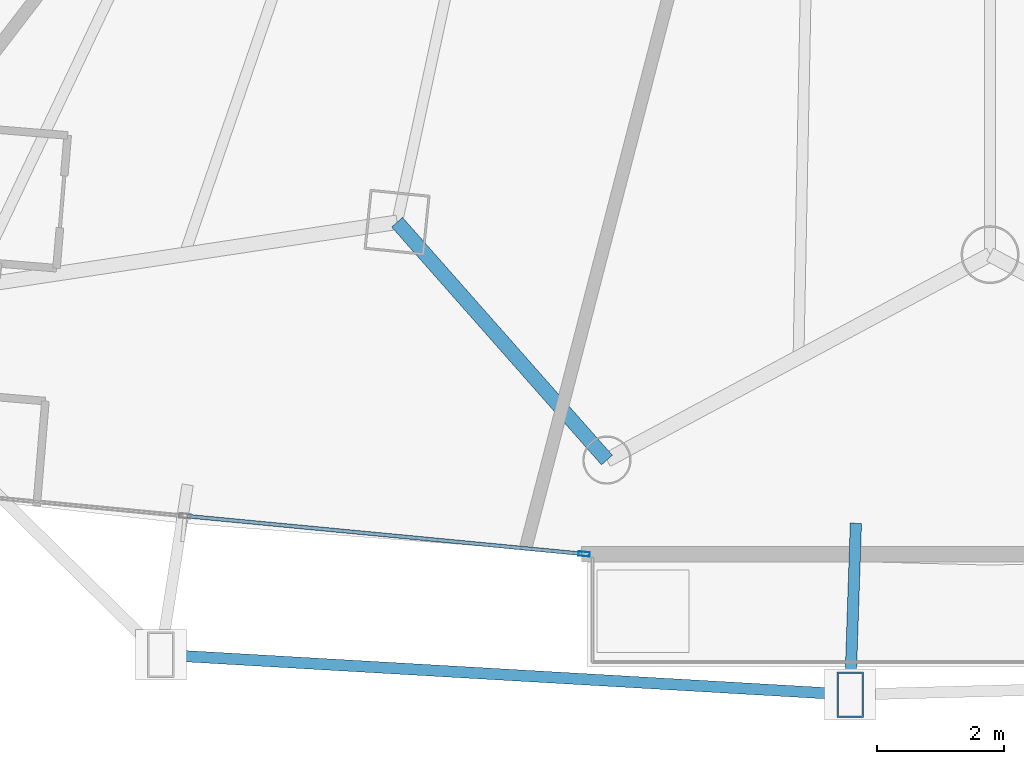
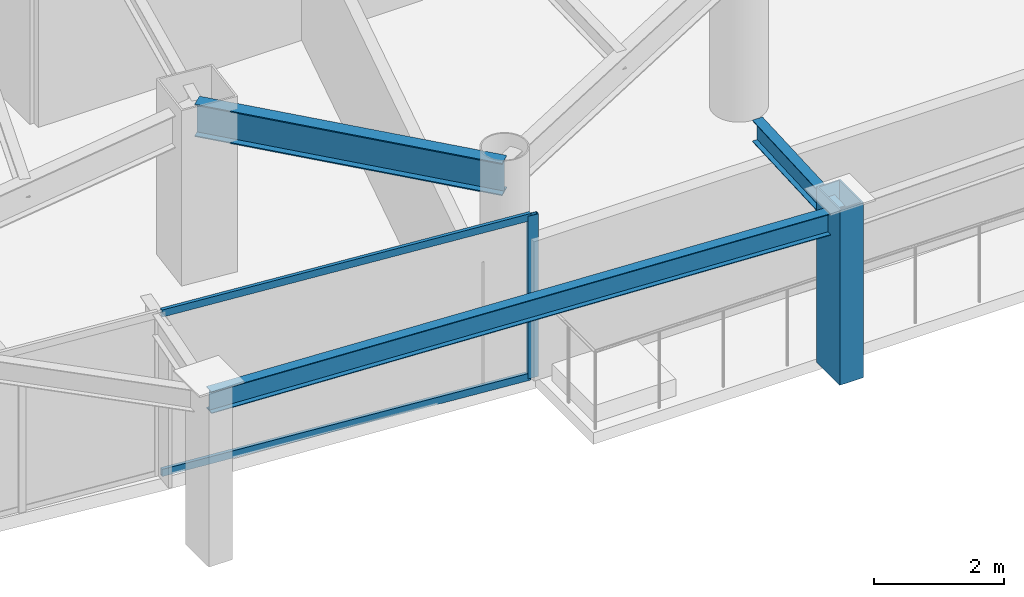
# One storey, part 6 of 34: 4 members, 3 beams, 1 element without a shape of its own.
"""IFC4 building model written with IfcOpenShell, lengths in metres."""

from ifc_helpers import new_model, si_unit, direction, frame, origin, origin_2d, place, context, subcontext, project, spatial, hollow_rectangle, i_section, extrude, material, layer, layer_set, material_profile, profile_set, type_object, element, aggregate, save


model = new_model("IFC4")

# Units and contexts
model_context = context("Model", 3, precision=1e-05, world=origin(), true_north=direction((0.0, 1.0)))
body_context = subcontext(model_context, "Body", "Model", "MODEL_VIEW")
ifc_project = project(units=[si_unit("LENGTHUNIT", "METRE"), si_unit("AREAUNIT", "SQUARE_METRE"), si_unit("VOLUMEUNIT", "CUBIC_METRE"), si_unit("PLANEANGLEUNIT", "RADIAN"), si_unit("MASSUNIT", "GRAM", prefix="KILO")], contexts=[model_context])

# Site, building, storey
site_placement = place(None, origin())
site = spatial("IfcSite", under=ifc_project, at=site_placement, CompositionType="ELEMENT")
building_placement = place(site_placement, origin())
building = spatial("IfcBuilding", under=site, at=building_placement, Name="Orvanel Arch Residences", CompositionType="ELEMENT")
storey_placement = place(building_placement, frame((0.0, 0.0, 80.75)))
storey = spatial("IfcBuildingStorey", under=building, at=storey_placement, Name="L22", CompositionType="ELEMENT", Elevation=80.75)

# Member
ifc_material_1 = material(Name="Structural steel AS/NZS 3678 Grade 350", Category="steel")
ifc_material_profile_1 = material_profile(ifc_material_1, hollow_rectangle(XDim=0.419921875, YDim=0.719970703125, WallThickness=0.02490234375, at=origin_2d()), Name="RHS720x420x25")
ifc_profile_set_1 = profile_set([ifc_material_profile_1], Name="Structural steel AS/NZS 3678 Grade 350")
member_type_1 = type_object("IfcMemberType", Name="CH-720RHS-EXT", PredefinedType="CHORD", material=ifc_profile_set_1)
member_1_placement = place(storey_placement, frame((30.79296875, -0.093994140625, 0.0), z_axis=(0.0, 0.0, 1.0), x_axis=(1.0, 0.0, 0.0)))
element("IfcMember", 1, at=member_1_placement, inside=storey, type_object=member_type_1, Name="L22 Outer Perimeter Frame Post 06", PredefinedType="CHORD", context=body_context, shape_type="SweptSolid", body=[
    extrude(hollow_rectangle(XDim=0.419921875, YDim=0.719970703125, WallThickness=0.02490234375, at=origin_2d()), origin(), (0.0, 0.0, 1.0), 3.300048828125),
])

# Curtain wall, member
ifc_material_2 = material(Name="Bronze-anodised aluminium AA6063-T6", Category="aluminium")
ifc_layer = layer(ifc_material_2, 0.179931640625)
ifc_layer_set = layer_set([ifc_layer], Name="Bronze-anodised aluminium AA6063-T6")
curtain_wall_type = type_object("IfcCurtainWallType", Name="CW2-LOW-SYS", PredefinedType="NOTDEFINED", material=ifc_layer_set)
curtain_wall_placement = place(storey_placement, origin())
curtain_wall = element("IfcCurtainWall", 2, at=curtain_wall_placement, inside=storey, type_object=curtain_wall_type, Name="L22 CW2-LOW-SYS Unitised Curtain Wall", PredefinedType="NOTDEFINED")
ifc_material_profile_2 = material_profile(ifc_material_2, hollow_rectangle(XDim=0.070068359375, YDim=0.179931640625, WallThickness=0.00439453125, at=origin_2d()), Name="ALU180x70x4.5")
ifc_profile_set_2 = profile_set([ifc_material_profile_2], Name="Bronze-anodised aluminium AA6063-T6")
member_type_2 = type_object("IfcMemberType", Name="MUL-180x70", PredefinedType="MULLION", material=ifc_profile_set_2)
member_2_placement = place(storey_placement, frame((26.59716796875, 2.123291015625, 0.0), z_axis=(0.0, 0.0, 1.0), x_axis=(0.095024396079, 0.995474944009, 0.0)))
member_2 = element("IfcMember", 3, at=member_2_placement, type_object=member_type_2, Name="CW-S2 mullion 3", PredefinedType="MULLION", context=body_context, shape_type="SweptSolid", body=[
    extrude(hollow_rectangle(XDim=0.070068359375, YDim=0.179931640625, WallThickness=0.00439453125, at=origin_2d()), origin(), (0.0, 0.0, 1.0), 3.06005859375),
])

# Beams
ifc_material_3 = material(Name="Structural steel AS/NZS 3679.1 Grade 300 (300 MPa)", Category="steel")
ifc_material_profile_3 = material_profile(ifc_material_3, i_section(OverallWidth=0.177978515625, OverallDepth=0.406005859375, WebThickness=0.0078125, FlangeThickness=0.0126953125, at=origin_2d()), Name="410UB59.7")
ifc_profile_set_3 = profile_set([ifc_material_profile_3], Name="Structural steel AS/NZS 3679.1 Grade 300 (300 MPa)")
beam_type_1 = type_object("IfcBeamType", Name="OB-410UB-EXT", PredefinedType="SPANDREL", material=ifc_profile_set_3)
beam_1_placement = place(storey_placement, frame((19.924072265625, 0.533935546875, 2.85693359375), z_axis=(0.998335301365, -0.057676910872, 0.0), x_axis=(0.057676910872, 0.998335301365, 0.0)))
element("IfcBeam", 4, at=beam_1_placement, inside=storey, type_object=beam_type_1, Name="L22 Outer Perimeter Floor Ring Beam 05", PredefinedType="SPANDREL", context=body_context, shape_type="SweptSolid", body=[
    extrude(i_section(OverallWidth=0.177978515625, OverallDepth=0.406005859375, WebThickness=0.0078125, FlangeThickness=0.0126953125, at=origin_2d()), origin(), (0.0, 0.0, 1.0), 10.886962890625),
])
beam_2_placement = place(storey_placement, frame((30.884033203125, 2.60791015625, 2.85693359375), z_axis=(-0.033684677538, -0.999432510227, 0.0), x_axis=(0.999432510227, -0.033684677538, 0.0)))
element("IfcBeam", 5, at=beam_2_placement, inside=storey, type_object=beam_type_1, Name="L22 Outer Frame Radial Tie Beam 06", PredefinedType="SPANDREL", context=body_context, shape_type="SweptSolid", body=[
    extrude(i_section(OverallWidth=0.177978515625, OverallDepth=0.406005859375, WebThickness=0.0078125, FlangeThickness=0.0126953125, at=origin_2d()), origin(), (0.0, 0.0, 1.0), 2.703369140625),
])
ifc_material_profile_4 = material_profile(ifc_material_3, i_section(OverallWidth=0.22900390625, OverallDepth=0.612060546875, WebThickness=0.011962890625, FlangeThickness=0.01953125, at=origin_2d()), Name="610UB125")
ifc_profile_set_4 = profile_set([ifc_material_profile_4], Name="Structural steel AS/NZS 3679.1 Grade 300 (300 MPa)")
beam_type_2 = type_object("IfcBeamType", Name="SP-610UB", PredefinedType="SPANDREL", material=ifc_profile_set_4)
beam_3_placement = place(storey_placement, frame((23.64892578125, 7.35498046875, 2.75390625), z_axis=(0.661650698195, -0.749812212209, 0.0), x_axis=(0.749812212209, 0.661650698195, 0.0)))
element("IfcBeam", 6, at=beam_3_placement, inside=storey, type_object=beam_type_2, Name="L22 Perimeter Spandrel Beam 05", PredefinedType="SPANDREL", context=body_context, shape_type="SweptSolid", body=[
    extrude(i_section(OverallWidth=0.22900390625, OverallDepth=0.612060546875, WebThickness=0.011962890625, FlangeThickness=0.01953125, at=origin_2d()), origin(), (0.0, 0.0, 1.0), 5.001220703125),
])

# Member
ifc_material_profile_5 = material_profile(ifc_material_2, hollow_rectangle(XDim=0.06005859375, YDim=0.135009765625, WallThickness=0.00390625, at=origin_2d()), Name="ALU135x60x4")
ifc_profile_set_5 = profile_set([ifc_material_profile_5], Name="Bronze-anodised aluminium AA6063-T6")
member_type_3 = type_object("IfcMemberType", Name="TRN-135x60", PredefinedType="USERDEFINED", material=ifc_profile_set_5)
member_3_placement = place(storey_placement, frame((20.33935546875, 2.720703125, 0.030029296875), z_axis=(0.995475264252, -0.095021041152, 0.0), x_axis=(0.095021041152, 0.995475264252, 0.0)))
member_3 = element("IfcMember", 7, at=member_3_placement, type_object=member_type_3, Name="CW-S2 transom 2.1", ObjectType="TRANSOM", PredefinedType="USERDEFINED", context=body_context, shape_type="SweptSolid", body=[
    extrude(hollow_rectangle(XDim=0.06005859375, YDim=0.135009765625, WallThickness=0.00390625, at=origin_2d()), origin(), (0.0, 0.0, 1.0), 6.251220703125),
])

member_4_placement = place(storey_placement, frame((20.33935546875, 2.720703125, 3.030029296875), z_axis=(0.995475264252, -0.095021041152, 0.0), x_axis=(0.095021041152, 0.995475264252, 0.0)))
member_4 = element("IfcMember", 8, at=member_4_placement, type_object=member_type_3, Name="CW-S2 transom 2.2", ObjectType="TRANSOM", PredefinedType="USERDEFINED", context=body_context, shape_type="SweptSolid", body=[
    extrude(hollow_rectangle(XDim=0.06005859375, YDim=0.135009765625, WallThickness=0.00390625, at=origin_2d()), origin(), (0.0, 0.0, 1.0), 6.251220703125),
])

aggregate(curtain_wall, [member_2, member_3, member_4])

save(model, "model.ifc")
